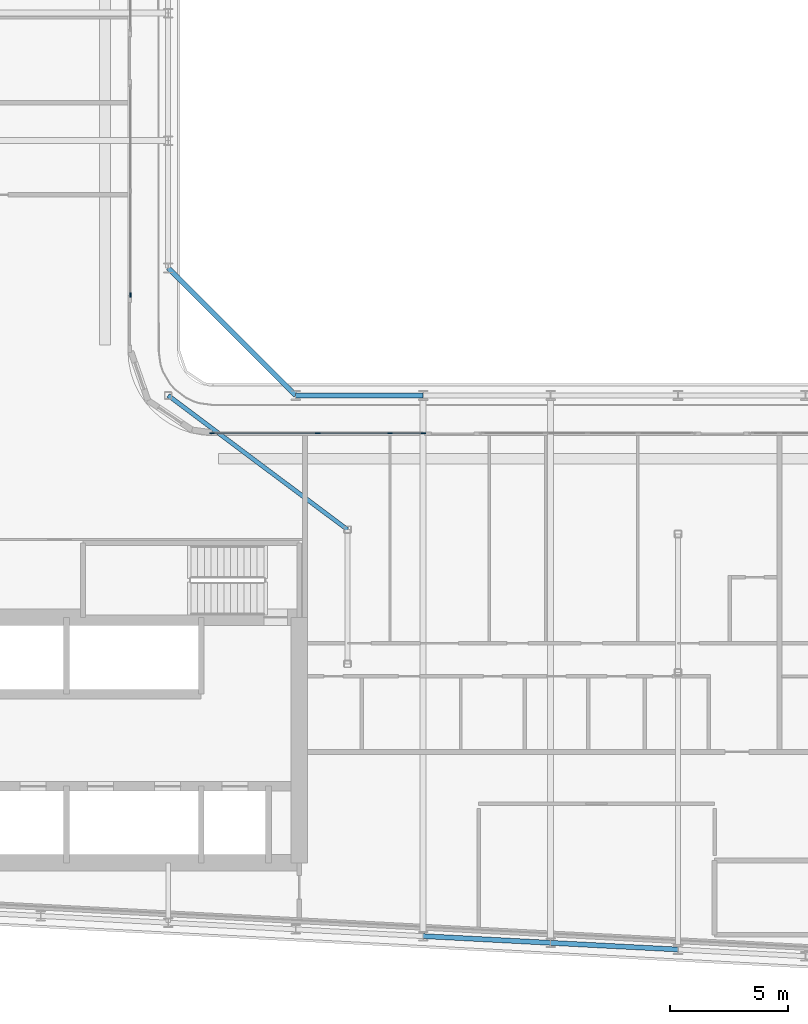
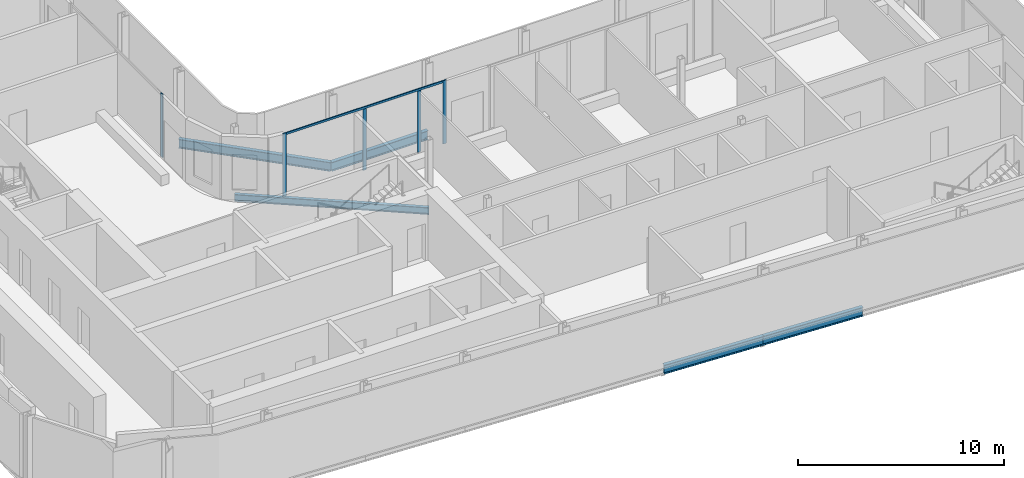
# One storey, part 4 of 21: 6 members, 5 beams, 2 elements without a shape of their own.
"""IFC4 building model written with IfcOpenShell, lengths in metres."""

from ifc_helpers import new_model, si_unit, direction, frame, origin, origin_2d, place, context, subcontext, project, spatial, rectangle, i_section, extrude, material, layer, layer_set, material_profile, profile_set, type_object, element, aggregate, save


model = new_model("IFC4")

# Units and contexts
model_context = context("Model", 3, precision=1e-05, world=origin(), true_north=direction((0.0, 1.0)))
body_context = subcontext(model_context, "Body", "Model", "MODEL_VIEW")
ifc_project = project(units=[si_unit("LENGTHUNIT", "METRE"), si_unit("AREAUNIT", "SQUARE_METRE"), si_unit("VOLUMEUNIT", "CUBIC_METRE"), si_unit("PLANEANGLEUNIT", "RADIAN"), si_unit("MASSUNIT", "GRAM", prefix="KILO")], contexts=[model_context])

# Site, building, storey
site_placement = place(None, origin())
site = spatial("IfcSite", under=ifc_project, at=site_placement, CompositionType="ELEMENT")
building_placement = place(site_placement, origin())
building = spatial("IfcBuilding", under=site, at=building_placement, Name="Kheshtan School and Residences Tower", CompositionType="ELEMENT")
storey_placement = place(building_placement, frame((0.0, 0.0, 227.89990234375)))
storey = spatial("IfcBuildingStorey", under=building, at=storey_placement, Name="L53", CompositionType="ELEMENT", Elevation=227.89990234375)

# Beams
ifc_material_1 = material(Name="Steel ASTM A992 Grade 50", Category="steel")
ifc_material_profile_1 = material_profile(ifc_material_1, i_section(OverallWidth=0.180908203125, OverallDepth=0.4169921875, WebThickness=0.010986328125, FlangeThickness=0.018310546875, FilletRadius=0.012451171875, at=origin_2d()), Name="W410x85")
ifc_profile_set_1 = profile_set([ifc_material_profile_1], Name="Steel ASTM A992 Grade 50")
beam_type_1 = type_object("IfcBeamType", Name="Beam FB3 W410x85 ASTM A992 Grade 50", PredefinedType="BEAM", material=ifc_profile_set_1)
beam_1_placement = place(storey_placement, frame((47.60009765625, 45.60009765625, -0.3583984375), z_axis=(0.800798828004, -0.598933416222, 0.0), x_axis=(0.598933416222, 0.800798828004, 0.0)))
element("IfcBeam", 1, at=beam_1_placement, inside=storey, type_object=beam_type_1, Name="Floor beam IC", PredefinedType="BEAM", context=body_context, shape_type="SweptSolid", body=[
    extrude(i_section(OverallWidth=0.180908203125, OverallDepth=0.4169921875, WebThickness=0.010986328125, FlangeThickness=0.018310546875, FilletRadius=0.012451171875, at=origin_2d()), origin(), (0.0, 0.0, 1.0), 9.490234375),
])
ifc_material_profile_2 = material_profile(ifc_material_1, i_section(OverallWidth=0.208984375, OverallDepth=0.532958984375, WebThickness=0.01025390625, FlangeThickness=0.015625, FilletRadius=0.013916015625, at=origin_2d()), Name="W530x92")
ifc_profile_set_2 = profile_set([ifc_material_profile_2], Name="Steel ASTM A992 Grade 50")
beam_type_2 = type_object("IfcBeamType", Name="Beam SP3 W530x92 ASTM A992 Grade 50", PredefinedType="BEAM", material=ifc_profile_set_2)
beam_2_placement = place(storey_placement, frame((47.60009765625, 51.0, -0.41650390625), z_axis=(0.707106781187, -0.707106781187, 0.0), x_axis=(0.707106781187, 0.707106781187, 0.0)))
element("IfcBeam", 2, at=beam_2_placement, inside=storey, type_object=beam_type_2, Name="Spandrel beam C079-C061", PredefinedType="BEAM", context=body_context, shape_type="SweptSolid", body=[
    extrude(i_section(OverallWidth=0.208984375, OverallDepth=0.532958984375, WebThickness=0.01025390625, FlangeThickness=0.015625, FilletRadius=0.013916015625, at=origin_2d()), origin(), (0.0, 0.0, 1.0), 7.63671875),
])
beam_3_placement = place(storey_placement, frame((53.0, 45.60009765625, -0.41650390625), z_axis=(1.0, 0.0, 0.0), x_axis=(0.0, 1.0, 0.0)))
element("IfcBeam", 3, at=beam_3_placement, inside=storey, type_object=beam_type_2, Name="Spandrel beam C061-C062", PredefinedType="BEAM", context=body_context, shape_type="SweptSolid", body=[
    extrude(i_section(OverallWidth=0.208984375, OverallDepth=0.532958984375, WebThickness=0.01025390625, FlangeThickness=0.015625, FilletRadius=0.013916015625, at=origin_2d()), origin(), (0.0, 0.0, 1.0), 5.39990234375),
])
beam_4_placement = place(storey_placement, frame((69.199951171875, 22.126953125, -0.41650390625), z_axis=(-0.998620447272, 0.05250906864, 0.0), x_axis=(-0.05250906864, -0.998620447272, 0.0)))
element("IfcBeam", 4, at=beam_4_placement, inside=storey, type_object=beam_type_2, Name="Spandrel beam C014-C016", PredefinedType="BEAM", context=body_context, shape_type="SweptSolid", body=[
    extrude(i_section(OverallWidth=0.208984375, OverallDepth=0.532958984375, WebThickness=0.01025390625, FlangeThickness=0.015625, FilletRadius=0.013916015625, at=origin_2d()), origin(), (0.0, 0.0, 1.0), 5.407470703125),
])
beam_5_placement = place(storey_placement, frame((63.800048828125, 22.410888671875, -0.41650390625), z_axis=(-0.998618203458, 0.052551724256, 0.0), x_axis=(-0.052551724256, -0.998618203458, 0.0)))
element("IfcBeam", 5, at=beam_5_placement, inside=storey, type_object=beam_type_2, Name="Spandrel beam C016-C018", PredefinedType="BEAM", context=body_context, shape_type="SweptSolid", body=[
    extrude(i_section(OverallWidth=0.208984375, OverallDepth=0.532958984375, WebThickness=0.01025390625, FlangeThickness=0.015625, FilletRadius=0.013916015625, at=origin_2d()), origin(), (0.0, 0.0, 1.0), 5.40771484375),
])

# Curtain wall, member
ifc_material_2 = material(Name="Clear low-e glass in thermally broken aluminium frame", Category="aluminium")
ifc_layer = layer(ifc_material_2, 0.199951171875)
ifc_layer_set = layer_set([ifc_layer], Name="Curtain wall CW-L")
curtain_wall_type = type_object("IfcCurtainWallType", Name="Curtain wall CW-L", PredefinedType="NOTDEFINED", material=ifc_layer_set)
curtain_wall_1_placement = place(storey_placement, origin())
curtain_wall_1 = element("IfcCurtainWall", 6, at=curtain_wall_1_placement, inside=storey, type_object=curtain_wall_type, Name="Curtain wall CWL4b", PredefinedType="NOTDEFINED")
ifc_material_3 = material(Name="Thermally broken aluminium, dark bronze anodised", Category="aluminium")
ifc_material_profile_3 = material_profile(ifc_material_3, rectangle(XDim=0.06005859375, YDim=0.199951171875, at=origin_2d()), Name="CW-L mullion 60x200")
ifc_profile_set_3 = profile_set([ifc_material_profile_3], Name="Thermally broken aluminium, dark bronze anodised")
member_type_1 = type_object("IfcMemberType", Name="CW-L mullion 60x200", PredefinedType="MULLION", material=ifc_profile_set_3)
member_1_placement = place(storey_placement, frame((46.0, 49.860107421875, 0.0), z_axis=(0.0, 0.0, 1.0), x_axis=(1.0, 0.0, 0.0)))
member_1 = element("IfcMember", 7, at=member_1_placement, type_object=member_type_1, Name="CWL4b mullion 3", PredefinedType="MULLION", context=body_context, shape_type="SweptSolid", body=[
    extrude(rectangle(XDim=0.06005859375, YDim=0.199951171875, at=origin_2d()), origin(), (0.0, 0.0, 1.0), 3.75),
])
aggregate(curtain_wall_1, [member_1])

# Curtain wall, members
curtain_wall_2_placement = place(storey_placement, origin())
curtain_wall_2 = element("IfcCurtainWall", 8, at=curtain_wall_2_placement, inside=storey, type_object=curtain_wall_type, Name="Curtain wall CWL8o", PredefinedType="NOTDEFINED")
member_2_placement = place(storey_placement, frame((49.4599609375, 44.0, 0.0), z_axis=(0.0, 0.0, 1.0), x_axis=(0.0, 1.0, 0.0)))
member_2 = element("IfcMember", 9, at=member_2_placement, type_object=member_type_1, Name="CWL8o mullion 1", PredefinedType="MULLION", context=body_context, shape_type="SweptSolid", body=[
    extrude(rectangle(XDim=0.06005859375, YDim=0.199951171875, at=origin_2d()), origin(), (0.0, 0.0, 1.0), 3.75),
])
member_3_placement = place(storey_placement, frame((53.941650390625, 44.0, 0.0), z_axis=(0.0, 0.0, 1.0), x_axis=(0.0, 1.0, 0.0)))
member_3 = element("IfcMember", 10, at=member_3_placement, type_object=member_type_1, Name="CWL8o mullion 2", PredefinedType="MULLION", context=body_context, shape_type="SweptSolid", body=[
    extrude(rectangle(XDim=0.06005859375, YDim=0.199951171875, at=origin_2d()), origin(), (0.0, 0.0, 1.0), 3.630126953125),
])
member_4_placement = place(storey_placement, frame((57.0, 44.0, 0.0), z_axis=(0.0, 0.0, 1.0), x_axis=(0.0, 1.0, 0.0)))
member_4 = element("IfcMember", 11, at=member_4_placement, type_object=member_type_1, Name="CWL8o mullion 3", PredefinedType="MULLION", context=body_context, shape_type="SweptSolid", body=[
    extrude(rectangle(XDim=0.06005859375, YDim=0.199951171875, at=origin_2d()), origin(), (0.0, 0.0, 1.0), 3.630126953125),
])
member_5_placement = place(storey_placement, frame((58.42333984375, 44.0, 0.0), z_axis=(0.0, 0.0, 1.0), x_axis=(0.0, 1.0, 0.0)))
member_5 = element("IfcMember", 12, at=member_5_placement, type_object=member_type_1, Name="CWL8o mullion 4", PredefinedType="MULLION", context=body_context, shape_type="SweptSolid", body=[
    extrude(rectangle(XDim=0.06005859375, YDim=0.199951171875, at=origin_2d()), origin(), (0.0, 0.0, 1.0), 3.75),
])
ifc_material_profile_4 = material_profile(ifc_material_3, rectangle(XDim=0.06005859375, YDim=0.1201171875, at=origin_2d()), Name="CW-L transom 60x120")
ifc_profile_set_4 = profile_set([ifc_material_profile_4], Name="Thermally broken aluminium, dark bronze anodised")
member_type_2 = type_object("IfcMemberType", Name="CW-L transom 60x120", PredefinedType="USERDEFINED", material=ifc_profile_set_4)
member_6_placement = place(storey_placement, frame((49.489990234375, 44.0, 3.690185546875), z_axis=(1.0, 0.0, 0.0), x_axis=(0.0, 1.0, 0.0)))
member_6 = element("IfcMember", 13, at=member_6_placement, type_object=member_type_2, Name="CWL8o transom 1", ObjectType="TRANSOM", PredefinedType="USERDEFINED", context=body_context, shape_type="SweptSolid", body=[
    extrude(rectangle(XDim=0.06005859375, YDim=0.1201171875, at=origin_2d()), origin(), (0.0, 0.0, 1.0), 8.9033203125),
])
aggregate(curtain_wall_2, [member_2, member_3, member_4, member_5, member_6])

save(model, "model.ifc")
